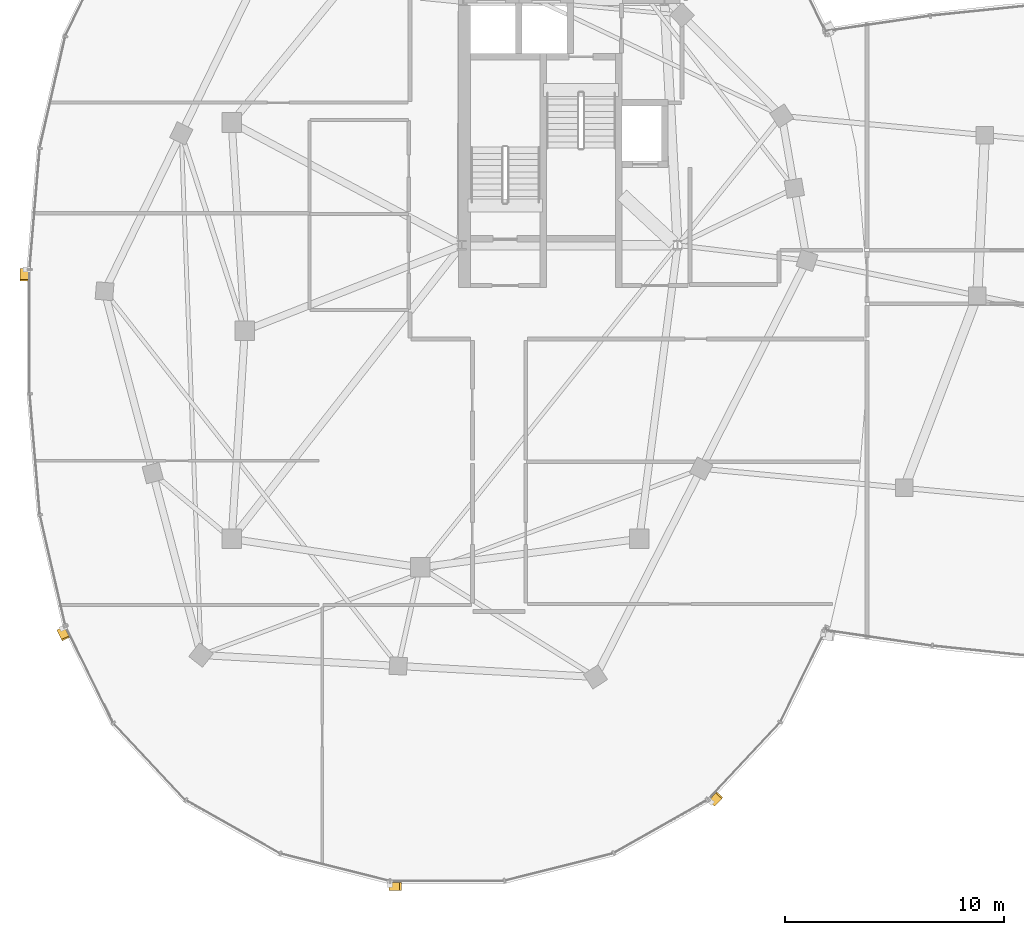
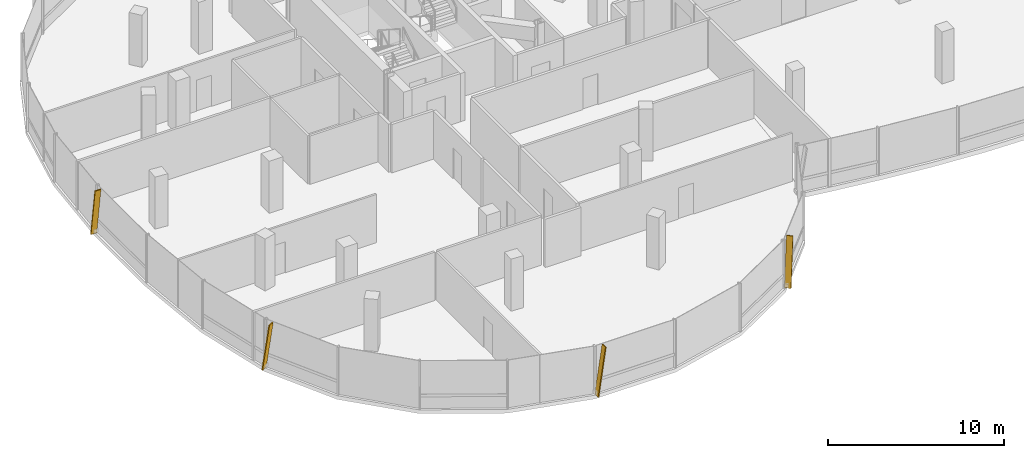
# One storey, part 20 of 25: 4 shading devices.
"""IFC4 building model written with IfcOpenShell, lengths in metres."""

from ifc_helpers import new_model, si_unit, direction, frame, origin, origin_2d, place, context, subcontext, project, spatial, rectangle, extrude, material, material_profile, profile_set, type_object, element, save


model = new_model("IFC4")

# Units and contexts
model_context = context("Model", 3, precision=1e-05, world=origin(), true_north=direction((0.0, 1.0)))
body_context = subcontext(model_context, "Body", "Model", "MODEL_VIEW")
ifc_project = project(units=[si_unit("LENGTHUNIT", "METRE"), si_unit("AREAUNIT", "SQUARE_METRE"), si_unit("VOLUMEUNIT", "CUBIC_METRE"), si_unit("PLANEANGLEUNIT", "RADIAN"), si_unit("MASSUNIT", "GRAM", prefix="KILO"), si_unit("THERMODYNAMICTEMPERATUREUNIT", "KELVIN"), si_unit("POWERUNIT", "WATT")], contexts=[model_context])

# Site, building, storey
site_placement = place(None, origin())
site = spatial("IfcSite", under=ifc_project, at=site_placement, CompositionType="ELEMENT")
building_placement = place(site_placement, origin())
building = spatial("IfcBuilding", under=site, at=building_placement, Name="Cundina Bronze Exchange", CompositionType="ELEMENT")
storey_placement = place(building_placement, frame((0.0, 0.0, 250.39990234375)))
storey = spatial("IfcBuildingStorey", under=building, at=storey_placement, Name="L66", CompositionType="ELEMENT", Elevation=250.39990234375)

# Shading devices
ifc_material = material(Name="Anodised Bronze Aluminium 6063-T6", Category="aluminium")
ifc_material_profile = material_profile(ifc_material, rectangle(XDim=0.070068359375, YDim=0.3798828125, at=origin_2d()), Name="FIN70X380", Category="aluminium")
ifc_profile_set = profile_set([ifc_material_profile], Name="Anodised Bronze Aluminium 6063-T6")
shading_device_type = type_object("IfcShadingDeviceType", Name="SHD-FIN-BRZ380", PredefinedType="USERDEFINED", material=ifc_profile_set)
for number, where, z_axis, x_axis, name in (
    (1, (-51.26904296875, 2.79150390625, 0.02001953125), (0.0, -0.143932024572, 0.989587576874), (0.0, 0.989587576874, 0.143932024572), "L66 Diagonal Bronze Solar Fin 5"),
    (2, (-49.593505859375, -13.614013671875, 0.02001953125), (0.063400368732, -0.129216686851, 0.989587510574), (-0.435900311632, 0.888411143223, 0.143932480407), "L66 Diagonal Bronze Solar Fin 1"),
    (3, (-34.576416015625, -25.360107421875, 0.02001953125), (0.143932024572, 0.0, 0.989587576874), (-0.989587576874, 0.0, 0.143932024572), "L66 Diagonal Bronze Solar Fin 5"),
    (4, (-19.877685546875, -21.55078125, 0.02001953125), (0.098541444371, 0.10491076507, 0.989587446926), (-0.677505727677, -0.721296959704, 0.143932918008), "L66 Diagonal Bronze Solar Fin 1"),
):
    element("IfcShadingDevice", number, at=place(storey_placement, frame(where, z_axis=z_axis, x_axis=x_axis)), inside=storey, type_object=shading_device_type, Name=name, ObjectType="FIN", PredefinedType="USERDEFINED", context=body_context, shape_type="SweptSolid", body=[
        extrude(rectangle(XDim=0.070068359375, YDim=0.3798828125, at=origin_2d()), origin(), (0.0, 0.0, 1.0), 3.334716796875),
    ])

save(model, "model.ifc")
